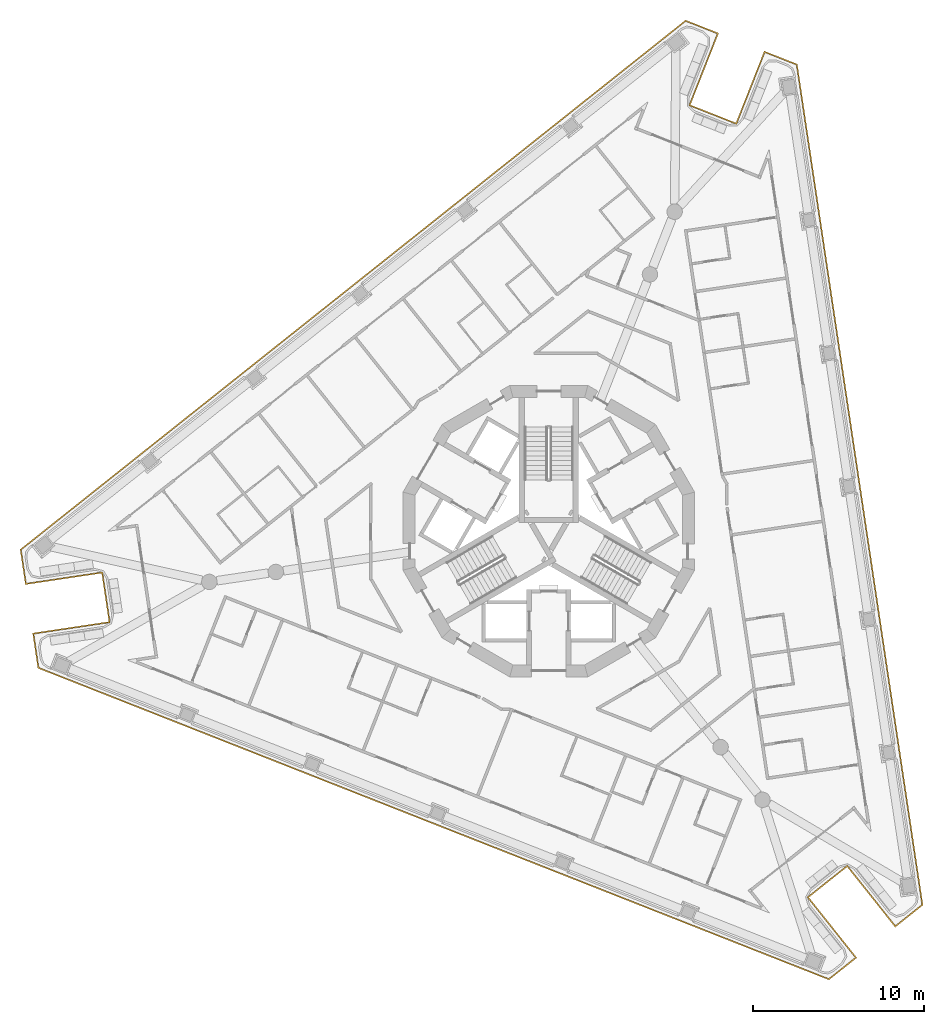
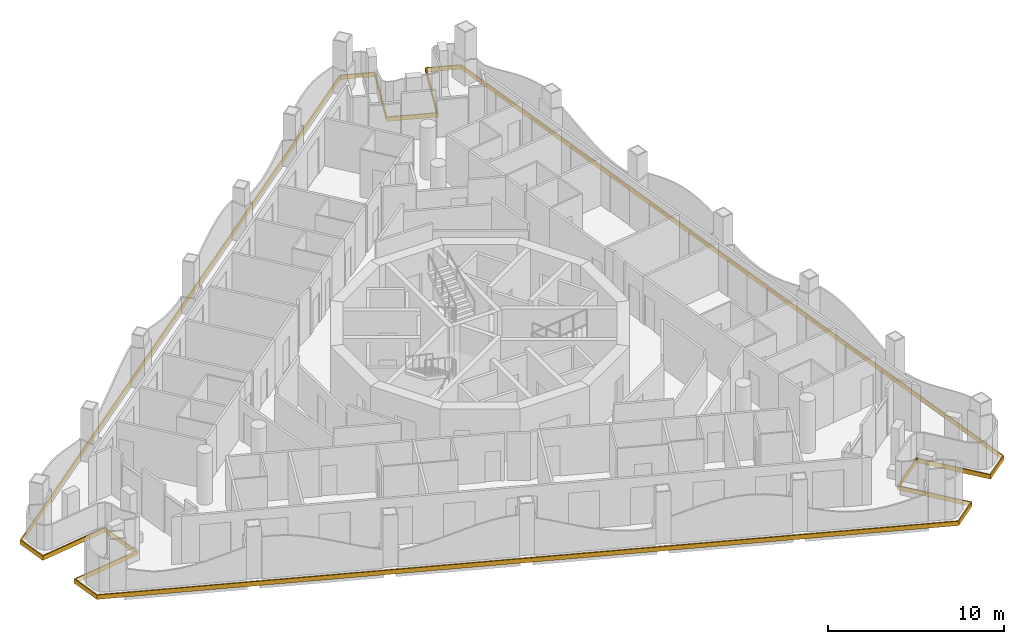
# One storey, part 12 of 16: 1 covering.
"""IFC4 building model written with IfcOpenShell, lengths in metres."""

from ifc_helpers import new_model, si_unit, direction, frame, origin, place, context, subcontext, project, spatial, polyline, outline, extrude, material, layer, layer_set, type_object, element, save


model = new_model("IFC4")

# Units and contexts
model_context = context("Model", 3, precision=1e-05, world=origin(), true_north=direction((0.0, 1.0)))
body_context = subcontext(model_context, "Body", "Model", "MODEL_VIEW")
ifc_project = project(units=[si_unit("LENGTHUNIT", "METRE"), si_unit("AREAUNIT", "SQUARE_METRE"), si_unit("VOLUMEUNIT", "CUBIC_METRE"), si_unit("PLANEANGLEUNIT", "RADIAN"), si_unit("MASSUNIT", "GRAM", prefix="KILO")], contexts=[model_context])

# Site, building, storey
site_placement = place(None, origin())
site = spatial("IfcSite", under=ifc_project, at=site_placement, CompositionType="ELEMENT")
building_placement = place(site_placement, origin())
building = spatial("IfcBuilding", under=site, at=building_placement, Name="Trine Commons Tower", CompositionType="ELEMENT")
storey_placement = place(building_placement, frame((0.0, 0.0, 201.60009765625)))
storey = spatial("IfcBuildingStorey", under=building, at=storey_placement, Name="L52", CompositionType="ELEMENT", Elevation=201.60009765625)

# Covering
ifc_material = material(Name="Limestone, honed", Category="masonry")
ifc_layer = layer(ifc_material, 0.074951171875)
ifc_layer_set = layer_set([ifc_layer], Name="Limestone, honed")
covering_type = type_object("IfcCoveringType", Name="Limestone spandrel panel 75", PredefinedType="CLADDING", material=ifc_layer_set)
covering_placement = place(storey_placement, frame((0.0, 0.0, -0.300048828125)))
element("IfcCovering", 1, at=covering_placement, inside=storey, type_object=covering_type, Name="Limestone spandrel panel 6-01", PredefinedType="CLADDING", context=body_context, shape_type="SweptSolid", body=[
    extrude(outline(polyline([(97.397705078125, 42.917236328125), (100.198974609375, 39.3955078125), (101.82861328125, 40.69189453125), (94.498779296875, 89.7373046875), (92.561279296875, 90.50048828125), (90.912109375, 86.313720703125), (88.26025390625, 87.358154296875), (89.90966796875, 91.545166015625), (87.97216796875, 92.308349609375), (49.162353515625, 61.4375), (49.47021484375, 59.378173828125), (53.9208984375, 60.043212890625), (54.342041015625, 57.224609375), (49.891357421875, 56.559326171875), (50.19921875, 54.5), (96.3388671875, 36.324951171875), (97.968505859375, 37.621337890625), (95.167236328125, 41.14306640625), (97.397705078125, 42.917236328125)]), holes=[polyline([(92.603515625, 90.4033203125), (94.430908203125, 89.683349609375), (101.748046875, 40.7236328125), (100.2109375, 39.5009765625), (97.40966796875, 43.022705078125), (95.061767578125, 41.155029296875), (97.86328125, 37.63330078125), (96.325927734375, 36.41064453125), (50.26708984375, 54.5537109375), (49.976806640625, 56.496337890625), (54.42724609375, 57.16162109375), (53.98388671875, 60.12841796875), (49.533203125, 59.46337890625), (49.242919921875, 61.406005859375), (87.98486328125, 92.22265625), (89.812255859375, 91.502685546875), (88.1630859375, 87.31591796875), (90.954345703125, 86.21630859375), (92.603515625, 90.4033203125)])]), origin(), (0.0, 0.0, 1.0), 0.300048828125),
])

save(model, "model.ifc")
